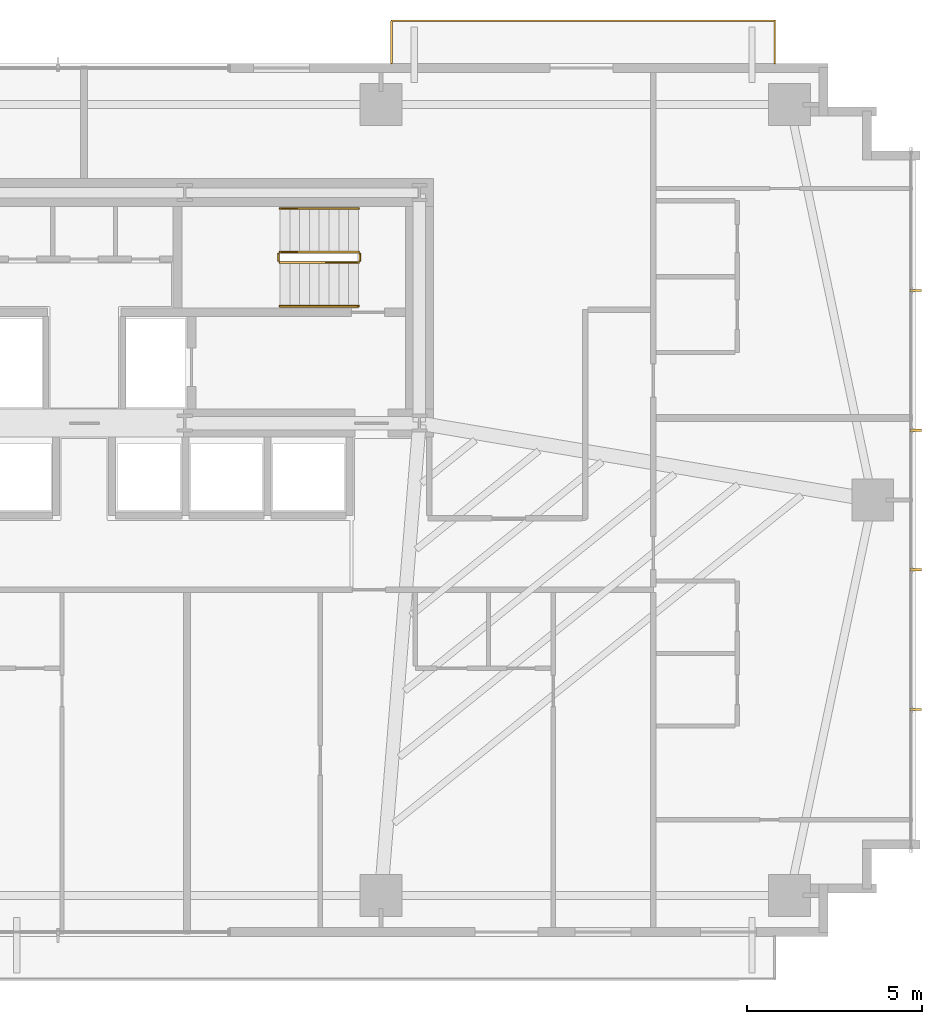
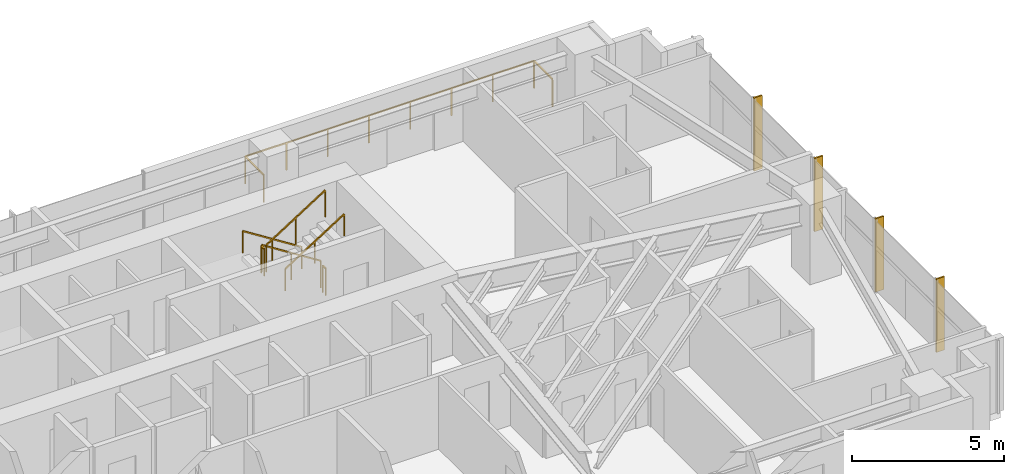
# One storey, part 25 of 25: 7 railings, 4 shading devices.
"""IFC4 building model written with IfcOpenShell, lengths in metres."""

from ifc_helpers import new_model, si_unit, direction, frame, origin, origin_2d, place, context, subcontext, project, spatial, rectangle, extrude, source, transform, mapped, material, type_object, type_shapes, element, save


model = new_model("IFC4")

# Units and contexts
model_context = context("Model", 3, precision=1e-05, world=origin(), true_north=direction((0.0, 1.0)))
body_context = subcontext(model_context, "Body", "Model", "MODEL_VIEW")
ifc_project = project(units=[si_unit("LENGTHUNIT", "METRE"), si_unit("AREAUNIT", "SQUARE_METRE"), si_unit("VOLUMEUNIT", "CUBIC_METRE"), si_unit("PLANEANGLEUNIT", "RADIAN"), si_unit("MASSUNIT", "GRAM", prefix="KILO")], contexts=[model_context])

# Site, building, storey
site_placement = place(None, origin())
site = spatial("IfcSite", under=ifc_project, at=site_placement, CompositionType="ELEMENT")
building_placement = place(site_placement, origin())
building = spatial("IfcBuilding", under=site, at=building_placement, Name="Astriad Promenade Condominiums", CompositionType="ELEMENT")
storey_placement = place(building_placement, frame((0.0, 0.0, 42.199951171875)))
storey = spatial("IfcBuildingStorey", under=building, at=storey_placement, Name="L11", CompositionType="ELEMENT", Elevation=42.199951171875)

# Shading devices
ifc_material_1 = material(Name="Anodised aluminium 6063-T6 Black Fin", Category="aluminium")
shading_device_type = type_object("IfcShadingDeviceType", Name="FIN-BLACK-320", PredefinedType="USERDEFINED", material=ifc_material_1)
shared_shape_1 = source(origin(), body_context, "Body", "SweptSolid", [
    extrude(rectangle(XDim=0.06494140625, YDim=0.320068359375, at=origin_2d()), origin(), (0.0, 0.0, 1.0), 2.93994140625),
])
type_shapes(shading_device_type, [shared_shape_1])
for number, where, z_axis, x_axis, name in (
    (1, (59.81005859375, 21.199951171875, 0.0), (0.0, 0.0, 1.0), (0.0, -1.0, 0.0), "CW-L11-E-FIN-01"),
    (2, (59.81005859375, 17.199951171875, 0.0), (0.0, 0.0, 1.0), (0.0, -1.0, 0.0), "CW-L11-E-FIN-02"),
    (3, (59.81005859375, 13.199951171875, 0.0), (0.0, 0.0, 1.0), (0.0, -1.0, 0.0), "CW-L11-E-FIN-03"),
    (4, (59.81005859375, 9.199951171875, 0.0), (0.0, 0.0, 1.0), (0.0, -1.0, 0.0), "CW-L11-E-FIN-04"),
):
    element("IfcShadingDevice", number, at=place(storey_placement, frame(where, z_axis=z_axis, x_axis=x_axis)), inside=storey, type_object=shading_device_type, Name=name, ObjectType="FIN", PredefinedType="USERDEFINED", context=body_context, shape_type="MappedRepresentation", body=[
        mapped(shared_shape_1, transform((0.0, 0.0, 0.0), scale=1.0)),
    ])

# Railings
ifc_material_2 = material(Name="Laminated Glass and Stainless Steel Balustrade", Category="steel")
railing_type_1 = type_object("IfcRailingType", Name="GRD-BALC-1120", PredefinedType="BALUSTRADE", material=ifc_material_2)
shared_shape_2 = source(origin(), body_context, "Body", "SweptSolid", [
    extrude(rectangle(XDim=0.048095703125, YDim=0.048095703125, at=origin_2d()), frame((0.0, 0.0, 1.09619140625), z_axis=(0.0, 1.0, 0.0), x_axis=(-1.0, 0.0, 0.0)), (0.0, 0.0, 1.0), 1.219970703125),
    extrude(rectangle(XDim=0.048095703125, YDim=0.048095703125, at=origin_2d()), frame((0.0, 1.219970703125, 1.09619140625), z_axis=(-1.0, 0.0, 0.0), x_axis=(0.0, -1.0, 0.0)), (0.0, 0.0, 1.0), 10.971923828125),
    extrude(rectangle(XDim=0.048095703125, YDim=0.048095703125, at=origin_2d()), frame((-10.971923828125, 1.219970703125, 1.09619140625), z_axis=(0.0, -1.0, 0.0), x_axis=(1.0, 0.0, 0.0)), (0.0, 0.0, 1.0), 1.219970703125),
    extrude(rectangle(XDim=0.0419921875, YDim=0.0419921875, at=origin_2d()), origin(), (0.0, 0.0, 1.0), 1.072021484375),
    extrude(rectangle(XDim=0.0419921875, YDim=0.0419921875, at=origin_2d()), frame((0.0, 1.219970703125, 0.0)), (0.0, 0.0, 1.0), 1.072021484375),
    extrude(rectangle(XDim=0.0419921875, YDim=0.0419921875, at=origin_2d()), frame((-1.5673828125, 1.219970703125, 0.0)), (0.0, 0.0, 1.0), 1.072021484375),
    extrude(rectangle(XDim=0.0419921875, YDim=0.0419921875, at=origin_2d()), frame((-3.134765625, 1.219970703125, 0.0)), (0.0, 0.0, 1.0), 1.072021484375),
    extrude(rectangle(XDim=0.0419921875, YDim=0.0419921875, at=origin_2d()), frame((-4.7021484375, 1.219970703125, 0.0)), (0.0, 0.0, 1.0), 1.072021484375),
    extrude(rectangle(XDim=0.0419921875, YDim=0.0419921875, at=origin_2d()), frame((-6.269775390625, 1.219970703125, 0.0)), (0.0, 0.0, 1.0), 1.072021484375),
    extrude(rectangle(XDim=0.0419921875, YDim=0.0419921875, at=origin_2d()), frame((-7.837158203125, 1.219970703125, 0.0)), (0.0, 0.0, 1.0), 1.072021484375),
    extrude(rectangle(XDim=0.0419921875, YDim=0.0419921875, at=origin_2d()), frame((-9.404541015625, 1.219970703125, 0.0)), (0.0, 0.0, 1.0), 1.072021484375),
    extrude(rectangle(XDim=0.0419921875, YDim=0.0419921875, at=origin_2d()), frame((-10.971923828125, 1.219970703125, 0.0)), (0.0, 0.0, 1.0), 1.072021484375),
    extrude(rectangle(XDim=0.0419921875, YDim=0.0419921875, at=origin_2d()), frame((-10.971923828125, 0.0, 0.0)), (0.0, 0.0, 1.0), 1.072021484375),
])
type_shapes(railing_type_1, [shared_shape_2])
railing_1_placement = place(storey_placement, frame((55.77197265625, 27.699951171875, 0.0)))
element("IfcRailing", 5, at=railing_1_placement, inside=storey, type_object=railing_type_1, Name="GRD-BALC-L11-NE", PredefinedType="BALUSTRADE", context=body_context, shape_type="MappedRepresentation", body=[
    mapped(shared_shape_2, transform((0.0, 0.0, 0.0), scale=1.0)),
])
ifc_material_3 = material(Name="Painted Galvanised Steel Guardrail", Category="steel")
railing_type_2 = type_object("IfcRailingType", Name="GRD-STAIR-1100", PredefinedType="GUARDRAIL", material=ifc_material_3)
shared_shape_3 = source(origin(), body_context, "Body", "SweptSolid", [
    extrude(rectangle(XDim=0.048095703125, YDim=0.048095703125, at=origin_2d()), frame((0.0, 0.0, 1.076171875), z_axis=(0.8442293374, 0.0, 0.53598211339), x_axis=(0.0, 1.0, 0.0)), (0.0, 0.0, 1.0), 2.6533203125),
    extrude(rectangle(XDim=0.0419921875, YDim=0.0419921875, at=origin_2d()), origin(), (0.0, 0.0, 1.0), 1.052001953125),
    extrude(rectangle(XDim=0.0419921875, YDim=0.0419921875, at=origin_2d()), frame((1.1201171875, 0.0, 0.7109375)), (0.0, 0.0, 1.0), 1.052001953125),
    extrude(rectangle(XDim=0.0419921875, YDim=0.0419921875, at=origin_2d()), frame((2.239990234375, 0.0, 1.422119140625)), (0.0, 0.0, 1.0), 1.052001953125),
])
railing_2_placement = place(storey_placement, frame((41.610107421875, 22.0, 1.77783203125)))
element("IfcRailing", 6, at=railing_2_placement, inside=storey, type_object=railing_type_2, Name="L11 ST-2 stair guard 3", PredefinedType="GUARDRAIL", context=body_context, shape_type="MappedRepresentation", body=[
    mapped(shared_shape_3, transform((0.0, 0.0, 0.0), scale=1.0)),
])
shared_shape_4 = source(origin(), body_context, "Body", "SweptSolid", [
    extrude(rectangle(XDim=0.048095703125, YDim=0.048095703125, at=origin_2d()), frame((0.0, 0.0, 1.076171875), z_axis=(-0.84418770128, 0.0, 0.536047689118), x_axis=(0.0, -1.0, 0.0)), (0.0, 0.0, 1.0), 2.6533203125),
    extrude(rectangle(XDim=0.0419921875, YDim=0.0419921875, at=origin_2d()), origin(), (0.0, 0.0, 1.0), 1.052001953125),
    extrude(rectangle(XDim=0.0419921875, YDim=0.0419921875, at=origin_2d()), frame((-1.1201171875, 0.0, 0.711181640625)), (0.0, 0.0, 1.0), 1.052001953125),
    extrude(rectangle(XDim=0.0419921875, YDim=0.0419921875, at=origin_2d()), frame((-2.239990234375, 0.0, 1.42236328125)), (0.0, 0.0, 1.0), 1.052001953125),
])
railing_3_placement = place(storey_placement, frame((43.85009765625, 22.300048828125, 0.177734375)))
element("IfcRailing", 7, at=railing_3_placement, inside=storey, type_object=railing_type_2, Name="L11 ST-2 stair guard 1", PredefinedType="GUARDRAIL", context=body_context, shape_type="MappedRepresentation", body=[
    mapped(shared_shape_4, transform((0.0, 0.0, 0.0), scale=1.0)),
])
ifc_material_4 = material(Name="Brushed Stainless Steel Handrail", Category="steel")
railing_type_3 = type_object("IfcRailingType", Name="HRL-STAIR-920", PredefinedType="HANDRAIL", material=ifc_material_4)
shared_shape_5 = source(origin(), body_context, "Body", "SweptSolid", [
    extrude(rectangle(XDim=0.048095703125, YDim=0.048095703125, at=origin_2d()), frame((0.0, 0.0, 0.8759765625), z_axis=(0.8442293374, 0.0, 0.53598211339), x_axis=(0.0, 1.0, 0.0)), (0.0, 0.0, 1.0), 2.6533203125),
    extrude(rectangle(XDim=0.0419921875, YDim=0.0419921875, at=origin_2d()), origin(), (0.0, 0.0, 1.0), 0.851806640625),
    extrude(rectangle(XDim=0.0419921875, YDim=0.0419921875, at=origin_2d()), frame((1.1201171875, 0.0, 0.7109375)), (0.0, 0.0, 1.0), 0.851806640625),
    extrude(rectangle(XDim=0.0419921875, YDim=0.0419921875, at=origin_2d()), frame((2.239990234375, 0.0, 1.422119140625)), (0.0, 0.0, 1.0), 0.851806640625),
])
railing_4_placement = place(storey_placement, frame((41.610107421875, 20.75, 1.77783203125)))
element("IfcRailing", 8, at=railing_4_placement, inside=storey, type_object=railing_type_3, Name="L11 ST-2 stair handrail 2", PredefinedType="HANDRAIL", context=body_context, shape_type="MappedRepresentation", body=[
    mapped(shared_shape_5, transform((0.0, 0.0, 0.0), scale=1.0)),
])
shared_shape_6 = source(origin(), body_context, "Body", "SweptSolid", [
    extrude(rectangle(XDim=0.048095703125, YDim=0.048095703125, at=origin_2d()), frame((0.0, 0.0, 0.8759765625), z_axis=(-0.84418770128, 0.0, 0.536047689118), x_axis=(0.0, -1.0, 0.0)), (0.0, 0.0, 1.0), 2.6533203125),
    extrude(rectangle(XDim=0.0419921875, YDim=0.0419921875, at=origin_2d()), origin(), (0.0, 0.0, 1.0), 0.851806640625),
    extrude(rectangle(XDim=0.0419921875, YDim=0.0419921875, at=origin_2d()), frame((-1.1201171875, 0.0, 0.711181640625)), (0.0, 0.0, 1.0), 0.851806640625),
    extrude(rectangle(XDim=0.0419921875, YDim=0.0419921875, at=origin_2d()), frame((-2.239990234375, 0.0, 1.42236328125)), (0.0, 0.0, 1.0), 0.851806640625),
])
type_shapes(railing_type_3, [shared_shape_5, shared_shape_6])
railing_5_placement = place(storey_placement, frame((43.85009765625, 23.550048828125, 0.177734375)))
element("IfcRailing", 9, at=railing_5_placement, inside=storey, type_object=railing_type_3, Name="L11 ST-2 stair handrail 1", PredefinedType="HANDRAIL", context=body_context, shape_type="MappedRepresentation", body=[
    mapped(shared_shape_6, transform((0.0, 0.0, 0.0), scale=1.0)),
])
shared_shape_7 = source(origin(), body_context, "Body", "SweptSolid", [
    extrude(rectangle(XDim=0.048095703125, YDim=0.048095703125, at=origin_2d()), frame((0.0, 0.0, 1.076171875), z_axis=(0.0, -1.0, 0.0), x_axis=(1.0, 0.0, 0.0)), (0.0, 0.0, 1.0), 0.199951171875),
    extrude(rectangle(XDim=0.0419921875, YDim=0.0419921875, at=origin_2d()), origin(), (0.0, 0.0, 1.0), 1.052001953125),
    extrude(rectangle(XDim=0.0419921875, YDim=0.0419921875, at=origin_2d()), frame((0.0, -0.199951171875, 0.0)), (0.0, 0.0, 1.0), 1.052001953125),
])
type_shapes(railing_type_2, [shared_shape_3, shared_shape_4, shared_shape_7])
for number, where, name in (
    (10, (41.56005859375, 22.25, 1.60009765625), "L11 ST-2 stair guard 2"),
    (11, (43.89990234375, 22.25, 0.0), "L11 ST-2 stair guard 4"),
):
    element("IfcRailing", number, at=place(storey_placement, frame(where)), inside=storey, type_object=railing_type_2, Name=name, PredefinedType="GUARDRAIL", context=body_context, shape_type="MappedRepresentation", body=[
        mapped(shared_shape_7, transform((0.0, 0.0, 0.0), scale=1.0)),
    ])

save(model, "model.ifc")
